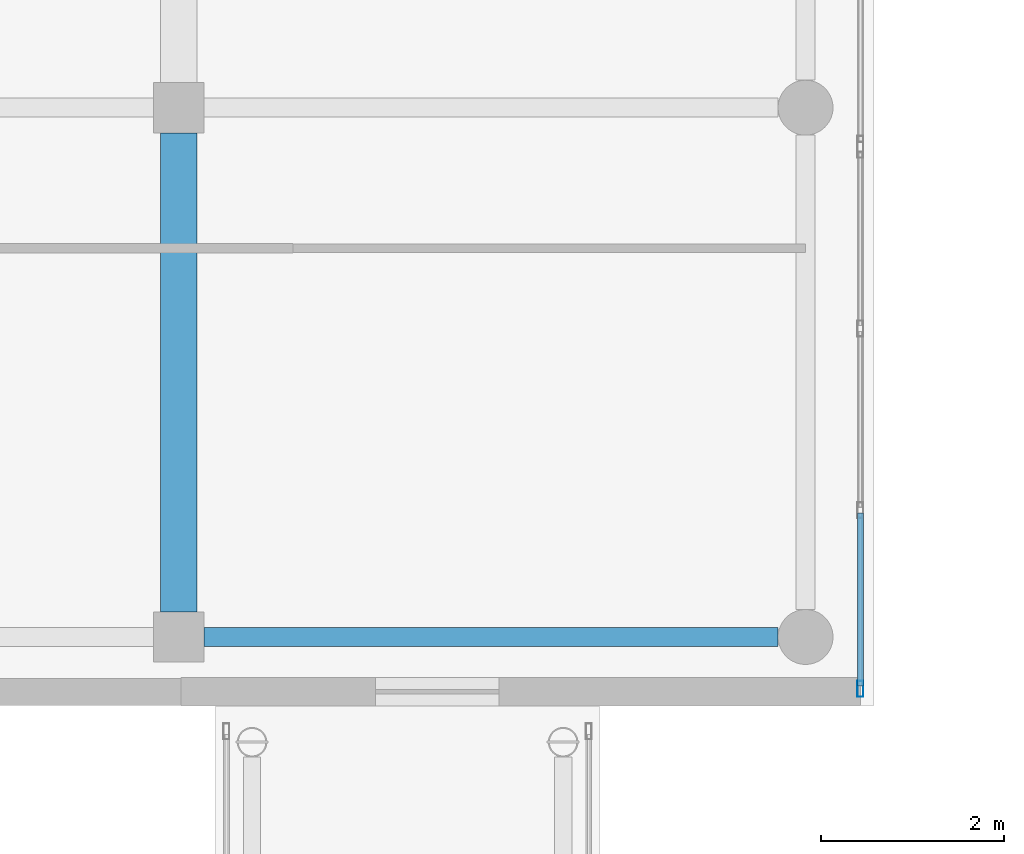
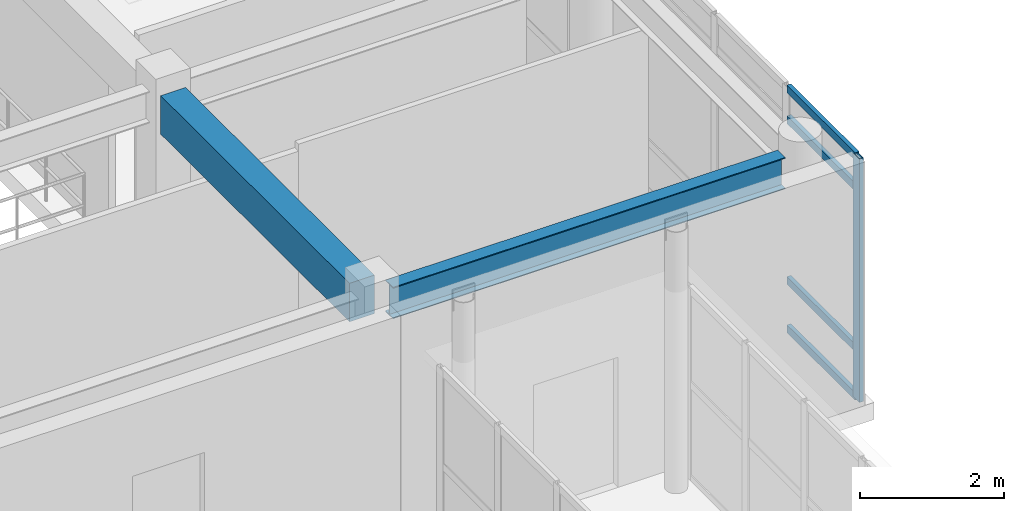
# One storey, part 29 of 142: 5 members, 2 beams, 1 element without a shape of its own.
"""IFC4 building model written with IfcOpenShell, lengths in metres."""

from ifc_helpers import new_model, si_unit, direction, frame, origin, origin_2d, place, context, subcontext, project, spatial, rectangle, hollow_rectangle, i_section, extrude, material, layer, layer_set, material_profile, profile_set, type_object, element, aggregate, save


model = new_model("IFC4")

# Units and contexts
model_context = context("Model", 3, precision=1e-05, world=origin(), true_north=direction((0.0, 1.0)))
body_context = subcontext(model_context, "Body", "Model", "MODEL_VIEW")
ifc_project = project(units=[si_unit("LENGTHUNIT", "METRE"), si_unit("AREAUNIT", "SQUARE_METRE"), si_unit("VOLUMEUNIT", "CUBIC_METRE"), si_unit("PLANEANGLEUNIT", "RADIAN"), si_unit("MASSUNIT", "GRAM", prefix="KILO")], contexts=[model_context])

# Site, building, storey
site_placement = place(None, origin())
site = spatial("IfcSite", under=ifc_project, at=site_placement, CompositionType="ELEMENT")
building_placement = place(site_placement, origin())
building = spatial("IfcBuilding", under=site, at=building_placement, Name="Valcora Specialist Clinic", CompositionType="ELEMENT")
storey_placement = place(building_placement, frame((0.0, 0.0, 5.10009765625)))
storey = spatial("IfcBuildingStorey", under=building, at=storey_placement, Name="L01", CompositionType="ELEMENT", Elevation=5.10009765625)

# Beams
ifc_material_1 = material(Name="Steel ASTM A992 Grade 50", Category="steel")
ifc_material_profile_1 = material_profile(ifc_material_1, i_section(OverallWidth=0.208984375, OverallDepth=0.532958984375, WebThickness=0.010009765625, FlangeThickness=0.01611328125, at=origin_2d()), Name="ST-IR-530X210")
ifc_profile_set_1 = profile_set([ifc_material_profile_1], Name="Steel ASTM A992 Grade 50")
beam_type_1 = type_object("IfcBeamType", Name="TY-BM-IR530", PredefinedType="SPANDREL", material=ifc_profile_set_1)
beam_1_placement = place(storey_placement, frame((22.675048828125, 38.75, 3.849365234375), z_axis=(1.0, 0.0, 0.0), x_axis=(0.0, 1.0, 0.0)))
element("IfcBeam", 1, at=beam_1_placement, inside=storey, type_object=beam_type_1, Name="Beam BM-L01-0136", PredefinedType="SPANDREL", context=body_context, shape_type="SweptSolid", body=[
    extrude(i_section(OverallWidth=0.208984375, OverallDepth=0.532958984375, WebThickness=0.010009765625, FlangeThickness=0.01611328125, at=origin_2d()), origin(), (0.0, 0.0, 1.0), 6.27490234375),
])
ifc_material_2 = material(Name="Concrete C40/50", Category="concrete")
ifc_material_profile_2 = material_profile(ifc_material_2, rectangle(XDim=0.39990234375, YDim=0.64990234375, at=origin_2d()), Name="RC-BM-400X650")
ifc_profile_set_2 = profile_set([ifc_material_profile_2], Name="Concrete C40/50")
beam_type_2 = type_object("IfcBeamType", Name="TY-BM-RC400X650", PredefinedType="BEAM", material=ifc_profile_set_2)
beam_2_placement = place(storey_placement, frame((22.39990234375, 39.02490234375, 3.794921875), z_axis=(0.0, 1.0, 0.0), x_axis=(-1.0, 0.0, 0.0)))
element("IfcBeam", 2, at=beam_2_placement, inside=storey, type_object=beam_type_2, Name="Beam BM-L01-0175", PredefinedType="BEAM", context=body_context, shape_type="SweptSolid", body=[
    extrude(rectangle(XDim=0.39990234375, YDim=0.64990234375, at=origin_2d()), origin(), (0.0, 0.0, 1.0), 5.236083984375),
])

# Curtain wall, members
ifc_material_3 = material(Name="Anodized Bronze Aluminium 6063-T6", Category="aluminium")
ifc_layer = layer(ifc_material_3, 0.175048828125)
ifc_layer_set = layer_set([ifc_layer], Name="Anodized Bronze Aluminium 6063-T6")
curtain_wall_type = type_object("IfcCurtainWallType", Name="TY-CW-HAL18", PredefinedType="NOTDEFINED", material=ifc_layer_set)
curtain_wall_placement = place(storey_placement, origin())
curtain_wall = element("IfcCurtainWall", 3, at=curtain_wall_placement, inside=storey, type_object=curtain_wall_type, Name="Curtain wall CW-L01-014", PredefinedType="NOTDEFINED")
ifc_material_profile_3 = material_profile(ifc_material_3, hollow_rectangle(XDim=0.06494140625, YDim=0.175048828125, WallThickness=0.00390625, at=origin_2d()), Name="AL-MUL-65X175")
ifc_profile_set_3 = profile_set([ifc_material_profile_3], Name="Anodized Bronze Aluminium 6063-T6")
member_type_1 = type_object("IfcMemberType", Name="TY-CWM-65X175", PredefinedType="MULLION", material=ifc_profile_set_3)
member_1_placement = place(storey_placement, frame((29.85009765625, 38.1826171875, 0.0), z_axis=(0.0, 0.0, 1.0), x_axis=(1.0, 0.0, 0.0)))
member_1 = element("IfcMember", 4, at=member_1_placement, type_object=member_type_1, Name="CW-HAL-18 mullion 4", PredefinedType="MULLION", context=body_context, shape_type="SweptSolid", body=[
    extrude(hollow_rectangle(XDim=0.06494140625, YDim=0.175048828125, WallThickness=0.00390625, at=origin_2d()), origin(), (0.0, 0.0, 1.0), 4.119873046875),
])
ifc_material_profile_4 = material_profile(ifc_material_3, hollow_rectangle(XDim=0.06494140625, YDim=0.1298828125, WallThickness=0.00390625, at=origin_2d()), Name="AL-TRN-65X130")
ifc_profile_set_4 = profile_set([ifc_material_profile_4], Name="Anodized Bronze Aluminium 6063-T6")
member_type_2 = type_object("IfcMemberType", Name="TY-CWT-65X130", PredefinedType="USERDEFINED", material=ifc_profile_set_4)
member_2_placement = place(storey_placement, frame((29.85009765625, 40.103271484375, 0.032470703125), z_axis=(0.0, -1.0, 0.0), x_axis=(1.0, 0.0, 0.0)))
member_2 = element("IfcMember", 5, at=member_2_placement, type_object=member_type_2, Name="CW-HAL-18 transom 3.1", ObjectType="TRANSOM", PredefinedType="USERDEFINED", context=body_context, shape_type="SweptSolid", body=[
    extrude(hollow_rectangle(XDim=0.06494140625, YDim=0.1298828125, WallThickness=0.00390625, at=origin_2d()), origin(), (0.0, 0.0, 1.0), 1.88818359375),
])
member_3_placement = place(storey_placement, frame((29.85009765625, 40.103271484375, 0.849853515625), z_axis=(0.0, -1.0, 0.0), x_axis=(1.0, 0.0, 0.0)))
member_3 = element("IfcMember", 6, at=member_3_placement, type_object=member_type_2, Name="CW-HAL-18 transom 3.2", ObjectType="TRANSOM", PredefinedType="USERDEFINED", context=body_context, shape_type="SweptSolid", body=[
    extrude(hollow_rectangle(XDim=0.06494140625, YDim=0.1298828125, WallThickness=0.00390625, at=origin_2d()), origin(), (0.0, 0.0, 1.0), 1.88818359375),
])
member_4_placement = place(storey_placement, frame((29.85009765625, 40.103271484375, 3.56982421875), z_axis=(0.0, -1.0, 0.0), x_axis=(1.0, 0.0, 0.0)))
member_4 = element("IfcMember", 7, at=member_4_placement, type_object=member_type_2, Name="CW-HAL-18 transom 3.3", ObjectType="TRANSOM", PredefinedType="USERDEFINED", context=body_context, shape_type="SweptSolid", body=[
    extrude(hollow_rectangle(XDim=0.06494140625, YDim=0.1298828125, WallThickness=0.00390625, at=origin_2d()), origin(), (0.0, 0.0, 1.0), 1.88818359375),
])
member_5_placement = place(storey_placement, frame((29.85009765625, 40.103271484375, 4.08740234375), z_axis=(0.0, -1.0, 0.0), x_axis=(1.0, 0.0, 0.0)))
member_5 = element("IfcMember", 8, at=member_5_placement, type_object=member_type_2, Name="CW-HAL-18 transom 3.4", ObjectType="TRANSOM", PredefinedType="USERDEFINED", context=body_context, shape_type="SweptSolid", body=[
    extrude(hollow_rectangle(XDim=0.06494140625, YDim=0.1298828125, WallThickness=0.00390625, at=origin_2d()), origin(), (0.0, 0.0, 1.0), 1.88818359375),
])
aggregate(curtain_wall, [member_1, member_2, member_3, member_4, member_5])

save(model, "model.ifc")
